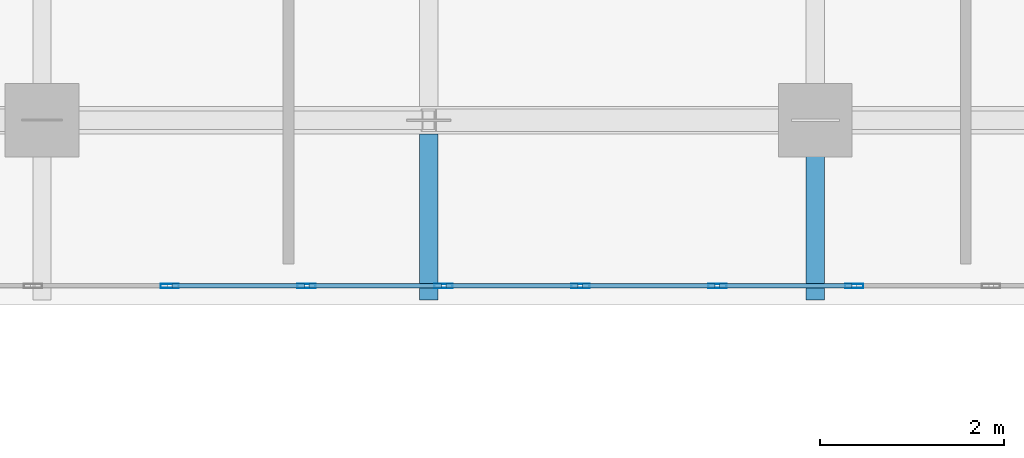
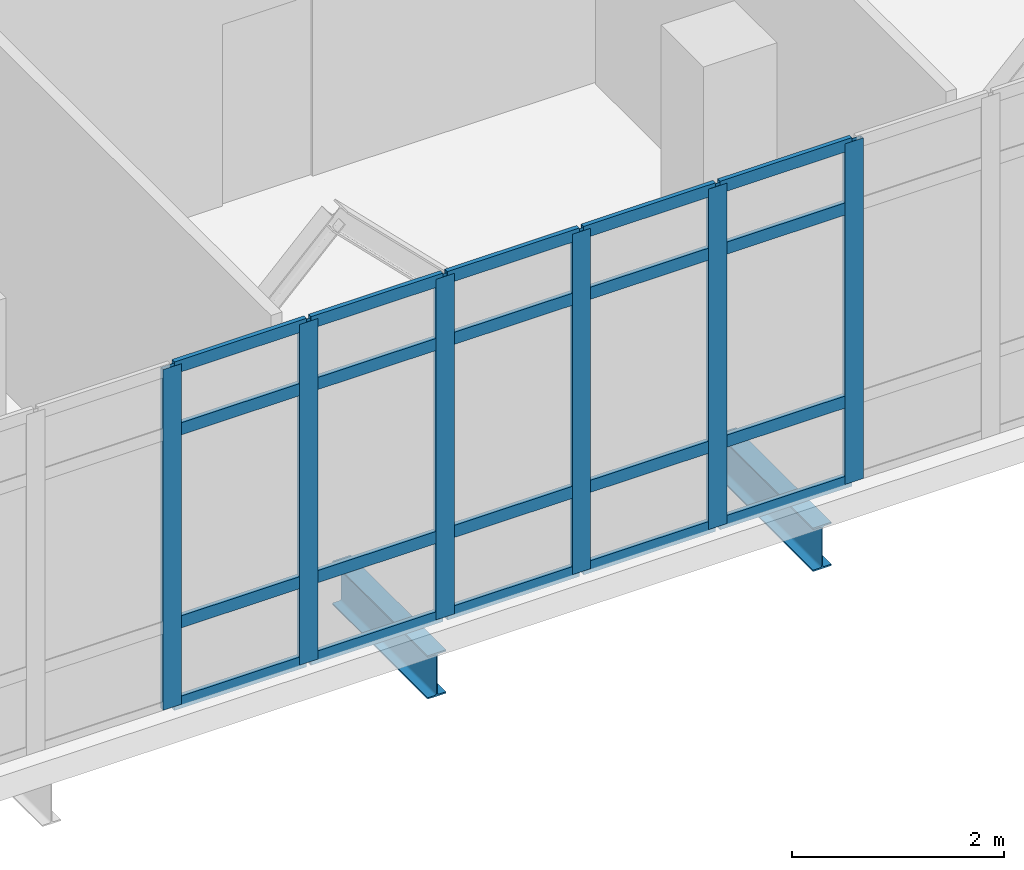
# One storey, part 5 of 158: 26 members, 2 beams, 1 element without a shape of its own.
"""IFC4 building model written with IfcOpenShell, lengths in metres."""

from ifc_helpers import new_model, si_unit, direction, frame, origin, origin_2d, place, context, subcontext, project, spatial, hollow_rectangle, i_section, extrude, material, layer, layer_set, material_profile, profile_set, type_object, element, aggregate, save


model = new_model("IFC4")

# Units and contexts
model_context = context("Model", 3, precision=1e-05, world=origin(), true_north=direction((0.0, 1.0)))
body_context = subcontext(model_context, "Body", "Model", "MODEL_VIEW")
ifc_project = project(units=[si_unit("LENGTHUNIT", "METRE"), si_unit("AREAUNIT", "SQUARE_METRE"), si_unit("VOLUMEUNIT", "CUBIC_METRE"), si_unit("PLANEANGLEUNIT", "RADIAN"), si_unit("MASSUNIT", "GRAM", prefix="KILO")], contexts=[model_context])

# Site, building, storey
site_placement = place(None, origin())
site = spatial("IfcSite", under=ifc_project, at=site_placement, CompositionType="ELEMENT")
building_placement = place(site_placement, origin())
building = spatial("IfcBuilding", under=site, at=building_placement, Name="Qalavern Law Courts", CompositionType="ELEMENT")
storey_placement = place(building_placement, frame((0.0, 0.0, 18.60009765625)))
storey = spatial("IfcBuildingStorey", under=building, at=storey_placement, Name="L04", CompositionType="ELEMENT", Elevation=18.60009765625)

# Curtain wall, members
ifc_material_1 = material(Name="Anodised aluminium and insulated glazing", Category="aluminium")
ifc_layer = layer(ifc_material_1, 0.199951171875)
ifc_layer_set = layer_set([ifc_layer], Name="Anodised aluminium and insulated glazing")
curtain_wall_type = type_object("IfcCurtainWallType", Name="ENV-CW-FOYER", PredefinedType="USERDEFINED", material=ifc_layer_set)
curtain_wall_placement = place(storey_placement, origin())
curtain_wall = element("IfcCurtainWall", 1, at=curtain_wall_placement, inside=storey, type_object=curtain_wall_type, Name="V1 unitised curtain wall L04 south 1", ObjectType="UNITISED CURTAIN WALL", PredefinedType="USERDEFINED")
ifc_material_2 = material(Name="Anodised aluminium", Category="aluminium")
ifc_material_profile_1 = material_profile(ifc_material_2, hollow_rectangle(XDim=0.048095703125, YDim=0.199951171875, WallThickness=0.00439453125, at=origin_2d()), Name="ALU MULLION 48x200")
ifc_profile_set_1 = profile_set([ifc_material_profile_1], Name="Anodised aluminium")
member_type_1 = type_object("IfcMemberType", Name="ENV-CWM-48x200", PredefinedType="MULLION", material=ifc_profile_set_1)
member_1_placement = place(storey_placement, frame((18.188232421875, 8.199951171875, 0.0), z_axis=(0.0, 0.0, 1.0), x_axis=(0.0, 1.0, 0.0)))
member_1 = element("IfcMember", 2, at=member_1_placement, type_object=member_type_1, Name="CW-01 mullion 9", PredefinedType="MULLION", context=body_context, shape_type="SweptSolid", body=[
    extrude(hollow_rectangle(XDim=0.048095703125, YDim=0.199951171875, WallThickness=0.00439453125, at=origin_2d()), origin(), (0.0, 0.0, 1.0), 3.9248046875),
])
member_2_placement = place(storey_placement, frame((19.675048828125, 8.199951171875, 0.0), z_axis=(0.0, 0.0, 1.0), x_axis=(0.0, 1.0, 0.0)))
member_2 = element("IfcMember", 3, at=member_2_placement, type_object=member_type_1, Name="CW-01 mullion 10", PredefinedType="MULLION", context=body_context, shape_type="SweptSolid", body=[
    extrude(hollow_rectangle(XDim=0.048095703125, YDim=0.199951171875, WallThickness=0.00439453125, at=origin_2d()), origin(), (0.0, 0.0, 1.0), 3.9248046875),
])
member_3_placement = place(storey_placement, frame((21.16162109375, 8.199951171875, 0.0), z_axis=(0.0, 0.0, 1.0), x_axis=(0.0, 1.0, 0.0)))
member_3 = element("IfcMember", 4, at=member_3_placement, type_object=member_type_1, Name="CW-01 mullion 11", PredefinedType="MULLION", context=body_context, shape_type="SweptSolid", body=[
    extrude(hollow_rectangle(XDim=0.048095703125, YDim=0.199951171875, WallThickness=0.00439453125, at=origin_2d()), origin(), (0.0, 0.0, 1.0), 3.9248046875),
])
member_4_placement = place(storey_placement, frame((22.6484375, 8.199951171875, 0.0), z_axis=(0.0, 0.0, 1.0), x_axis=(0.0, 1.0, 0.0)))
member_4 = element("IfcMember", 5, at=member_4_placement, type_object=member_type_1, Name="CW-01 mullion 12", PredefinedType="MULLION", context=body_context, shape_type="SweptSolid", body=[
    extrude(hollow_rectangle(XDim=0.048095703125, YDim=0.199951171875, WallThickness=0.00439453125, at=origin_2d()), origin(), (0.0, 0.0, 1.0), 3.9248046875),
])
member_5_placement = place(storey_placement, frame((24.135009765625, 8.199951171875, 0.0), z_axis=(0.0, 0.0, 1.0), x_axis=(0.0, 1.0, 0.0)))
member_5 = element("IfcMember", 6, at=member_5_placement, type_object=member_type_1, Name="CW-01 mullion 13", PredefinedType="MULLION", context=body_context, shape_type="SweptSolid", body=[
    extrude(hollow_rectangle(XDim=0.048095703125, YDim=0.199951171875, WallThickness=0.00439453125, at=origin_2d()), origin(), (0.0, 0.0, 1.0), 3.9248046875),
])
member_6_placement = place(storey_placement, frame((25.62158203125, 8.199951171875, 0.0), z_axis=(0.0, 0.0, 1.0), x_axis=(0.0, 1.0, 0.0)))
member_6 = element("IfcMember", 7, at=member_6_placement, type_object=member_type_1, Name="CW-01 mullion 14", PredefinedType="MULLION", context=body_context, shape_type="SweptSolid", body=[
    extrude(hollow_rectangle(XDim=0.048095703125, YDim=0.199951171875, WallThickness=0.00439453125, at=origin_2d()), origin(), (0.0, 0.0, 1.0), 3.9248046875),
])
ifc_material_profile_2 = material_profile(ifc_material_2, hollow_rectangle(XDim=0.048095703125, YDim=0.139892578125, WallThickness=0.00390625, at=origin_2d()), Name="ALU TRANSOM 48x140")
ifc_profile_set_2 = profile_set([ifc_material_profile_2], Name="Anodised aluminium")
member_type_2 = type_object("IfcMemberType", Name="ENV-CWT-48x140", PredefinedType="USERDEFINED", material=ifc_profile_set_2)
member_7_placement = place(storey_placement, frame((18.21240234375, 8.199951171875, 0.02392578125), z_axis=(1.0, 0.0, 0.0), x_axis=(0.0, 1.0, 0.0)))
member_7 = element("IfcMember", 8, at=member_7_placement, type_object=member_type_2, Name="CW-01 transom 9.1", ObjectType="TRANSOM", PredefinedType="USERDEFINED", context=body_context, shape_type="SweptSolid", body=[
    extrude(hollow_rectangle(XDim=0.048095703125, YDim=0.139892578125, WallThickness=0.00390625, at=origin_2d()), origin(), (0.0, 0.0, 1.0), 1.4384765625),
])
member_8_placement = place(storey_placement, frame((18.21240234375, 8.199951171875, 0.949951171875), z_axis=(1.0, 0.0, 0.0), x_axis=(0.0, 1.0, 0.0)))
member_8 = element("IfcMember", 9, at=member_8_placement, type_object=member_type_2, Name="CW-01 transom 9.2", ObjectType="TRANSOM", PredefinedType="USERDEFINED", context=body_context, shape_type="SweptSolid", body=[
    extrude(hollow_rectangle(XDim=0.048095703125, YDim=0.139892578125, WallThickness=0.00390625, at=origin_2d()), origin(), (0.0, 0.0, 1.0), 1.4384765625),
])
member_9_placement = place(storey_placement, frame((18.21240234375, 8.199951171875, 3.1748046875), z_axis=(1.0, 0.0, 0.0), x_axis=(0.0, 1.0, 0.0)))
member_9 = element("IfcMember", 10, at=member_9_placement, type_object=member_type_2, Name="CW-01 transom 9.3", ObjectType="TRANSOM", PredefinedType="USERDEFINED", context=body_context, shape_type="SweptSolid", body=[
    extrude(hollow_rectangle(XDim=0.048095703125, YDim=0.139892578125, WallThickness=0.00390625, at=origin_2d()), origin(), (0.0, 0.0, 1.0), 1.4384765625),
])
member_10_placement = place(storey_placement, frame((18.21240234375, 8.199951171875, 3.90087890625), z_axis=(1.0, 0.0, 0.0), x_axis=(0.0, 1.0, 0.0)))
member_10 = element("IfcMember", 11, at=member_10_placement, type_object=member_type_2, Name="CW-01 transom 9.4", ObjectType="TRANSOM", PredefinedType="USERDEFINED", context=body_context, shape_type="SweptSolid", body=[
    extrude(hollow_rectangle(XDim=0.048095703125, YDim=0.139892578125, WallThickness=0.00390625, at=origin_2d()), origin(), (0.0, 0.0, 1.0), 1.4384765625),
])
member_11_placement = place(storey_placement, frame((19.698974609375, 8.199951171875, 0.02392578125), z_axis=(1.0, 0.0, 0.0), x_axis=(0.0, 1.0, 0.0)))
member_11 = element("IfcMember", 12, at=member_11_placement, type_object=member_type_2, Name="CW-01 transom 10.1", ObjectType="TRANSOM", PredefinedType="USERDEFINED", context=body_context, shape_type="SweptSolid", body=[
    extrude(hollow_rectangle(XDim=0.048095703125, YDim=0.139892578125, WallThickness=0.00390625, at=origin_2d()), origin(), (0.0, 0.0, 1.0), 1.438720703125),
])
member_12_placement = place(storey_placement, frame((19.698974609375, 8.199951171875, 0.949951171875), z_axis=(1.0, 0.0, 0.0), x_axis=(0.0, 1.0, 0.0)))
member_12 = element("IfcMember", 13, at=member_12_placement, type_object=member_type_2, Name="CW-01 transom 10.2", ObjectType="TRANSOM", PredefinedType="USERDEFINED", context=body_context, shape_type="SweptSolid", body=[
    extrude(hollow_rectangle(XDim=0.048095703125, YDim=0.139892578125, WallThickness=0.00390625, at=origin_2d()), origin(), (0.0, 0.0, 1.0), 1.438720703125),
])
member_13_placement = place(storey_placement, frame((19.698974609375, 8.199951171875, 3.1748046875), z_axis=(1.0, 0.0, 0.0), x_axis=(0.0, 1.0, 0.0)))
member_13 = element("IfcMember", 14, at=member_13_placement, type_object=member_type_2, Name="CW-01 transom 10.3", ObjectType="TRANSOM", PredefinedType="USERDEFINED", context=body_context, shape_type="SweptSolid", body=[
    extrude(hollow_rectangle(XDim=0.048095703125, YDim=0.139892578125, WallThickness=0.00390625, at=origin_2d()), origin(), (0.0, 0.0, 1.0), 1.438720703125),
])
member_14_placement = place(storey_placement, frame((19.698974609375, 8.199951171875, 3.90087890625), z_axis=(1.0, 0.0, 0.0), x_axis=(0.0, 1.0, 0.0)))
member_14 = element("IfcMember", 15, at=member_14_placement, type_object=member_type_2, Name="CW-01 transom 10.4", ObjectType="TRANSOM", PredefinedType="USERDEFINED", context=body_context, shape_type="SweptSolid", body=[
    extrude(hollow_rectangle(XDim=0.048095703125, YDim=0.139892578125, WallThickness=0.00390625, at=origin_2d()), origin(), (0.0, 0.0, 1.0), 1.438720703125),
])
member_15_placement = place(storey_placement, frame((21.185546875, 8.199951171875, 0.02392578125), z_axis=(1.0, 0.0, 0.0), x_axis=(0.0, 1.0, 0.0)))
member_15 = element("IfcMember", 16, at=member_15_placement, type_object=member_type_2, Name="CW-01 transom 11.1", ObjectType="TRANSOM", PredefinedType="USERDEFINED", context=body_context, shape_type="SweptSolid", body=[
    extrude(hollow_rectangle(XDim=0.048095703125, YDim=0.139892578125, WallThickness=0.00390625, at=origin_2d()), origin(), (0.0, 0.0, 1.0), 1.438720703125),
])
member_16_placement = place(storey_placement, frame((21.185546875, 8.199951171875, 0.949951171875), z_axis=(1.0, 0.0, 0.0), x_axis=(0.0, 1.0, 0.0)))
member_16 = element("IfcMember", 17, at=member_16_placement, type_object=member_type_2, Name="CW-01 transom 11.2", ObjectType="TRANSOM", PredefinedType="USERDEFINED", context=body_context, shape_type="SweptSolid", body=[
    extrude(hollow_rectangle(XDim=0.048095703125, YDim=0.139892578125, WallThickness=0.00390625, at=origin_2d()), origin(), (0.0, 0.0, 1.0), 1.438720703125),
])
member_17_placement = place(storey_placement, frame((21.185546875, 8.199951171875, 3.1748046875), z_axis=(1.0, 0.0, 0.0), x_axis=(0.0, 1.0, 0.0)))
member_17 = element("IfcMember", 18, at=member_17_placement, type_object=member_type_2, Name="CW-01 transom 11.3", ObjectType="TRANSOM", PredefinedType="USERDEFINED", context=body_context, shape_type="SweptSolid", body=[
    extrude(hollow_rectangle(XDim=0.048095703125, YDim=0.139892578125, WallThickness=0.00390625, at=origin_2d()), origin(), (0.0, 0.0, 1.0), 1.438720703125),
])
member_18_placement = place(storey_placement, frame((21.185546875, 8.199951171875, 3.90087890625), z_axis=(1.0, 0.0, 0.0), x_axis=(0.0, 1.0, 0.0)))
member_18 = element("IfcMember", 19, at=member_18_placement, type_object=member_type_2, Name="CW-01 transom 11.4", ObjectType="TRANSOM", PredefinedType="USERDEFINED", context=body_context, shape_type="SweptSolid", body=[
    extrude(hollow_rectangle(XDim=0.048095703125, YDim=0.139892578125, WallThickness=0.00390625, at=origin_2d()), origin(), (0.0, 0.0, 1.0), 1.438720703125),
])
member_19_placement = place(storey_placement, frame((22.67236328125, 8.199951171875, 0.02392578125), z_axis=(1.0, 0.0, 0.0), x_axis=(0.0, 1.0, 0.0)))
member_19 = element("IfcMember", 20, at=member_19_placement, type_object=member_type_2, Name="CW-01 transom 12.1", ObjectType="TRANSOM", PredefinedType="USERDEFINED", context=body_context, shape_type="SweptSolid", body=[
    extrude(hollow_rectangle(XDim=0.048095703125, YDim=0.139892578125, WallThickness=0.00390625, at=origin_2d()), origin(), (0.0, 0.0, 1.0), 1.438720703125),
])
member_20_placement = place(storey_placement, frame((22.67236328125, 8.199951171875, 0.949951171875), z_axis=(1.0, 0.0, 0.0), x_axis=(0.0, 1.0, 0.0)))
member_20 = element("IfcMember", 21, at=member_20_placement, type_object=member_type_2, Name="CW-01 transom 12.2", ObjectType="TRANSOM", PredefinedType="USERDEFINED", context=body_context, shape_type="SweptSolid", body=[
    extrude(hollow_rectangle(XDim=0.048095703125, YDim=0.139892578125, WallThickness=0.00390625, at=origin_2d()), origin(), (0.0, 0.0, 1.0), 1.438720703125),
])
member_21_placement = place(storey_placement, frame((22.67236328125, 8.199951171875, 3.1748046875), z_axis=(1.0, 0.0, 0.0), x_axis=(0.0, 1.0, 0.0)))
member_21 = element("IfcMember", 22, at=member_21_placement, type_object=member_type_2, Name="CW-01 transom 12.3", ObjectType="TRANSOM", PredefinedType="USERDEFINED", context=body_context, shape_type="SweptSolid", body=[
    extrude(hollow_rectangle(XDim=0.048095703125, YDim=0.139892578125, WallThickness=0.00390625, at=origin_2d()), origin(), (0.0, 0.0, 1.0), 1.438720703125),
])
member_22_placement = place(storey_placement, frame((22.67236328125, 8.199951171875, 3.90087890625), z_axis=(1.0, 0.0, 0.0), x_axis=(0.0, 1.0, 0.0)))
member_22 = element("IfcMember", 23, at=member_22_placement, type_object=member_type_2, Name="CW-01 transom 12.4", ObjectType="TRANSOM", PredefinedType="USERDEFINED", context=body_context, shape_type="SweptSolid", body=[
    extrude(hollow_rectangle(XDim=0.048095703125, YDim=0.139892578125, WallThickness=0.00390625, at=origin_2d()), origin(), (0.0, 0.0, 1.0), 1.438720703125),
])
member_23_placement = place(storey_placement, frame((24.158935546875, 8.199951171875, 0.02392578125), z_axis=(1.0, 0.0, 0.0), x_axis=(0.0, 1.0, 0.0)))
member_23 = element("IfcMember", 24, at=member_23_placement, type_object=member_type_2, Name="CW-01 transom 13.1", ObjectType="TRANSOM", PredefinedType="USERDEFINED", context=body_context, shape_type="SweptSolid", body=[
    extrude(hollow_rectangle(XDim=0.048095703125, YDim=0.139892578125, WallThickness=0.00390625, at=origin_2d()), origin(), (0.0, 0.0, 1.0), 1.438720703125),
])
member_24_placement = place(storey_placement, frame((24.158935546875, 8.199951171875, 0.949951171875), z_axis=(1.0, 0.0, 0.0), x_axis=(0.0, 1.0, 0.0)))
member_24 = element("IfcMember", 25, at=member_24_placement, type_object=member_type_2, Name="CW-01 transom 13.2", ObjectType="TRANSOM", PredefinedType="USERDEFINED", context=body_context, shape_type="SweptSolid", body=[
    extrude(hollow_rectangle(XDim=0.048095703125, YDim=0.139892578125, WallThickness=0.00390625, at=origin_2d()), origin(), (0.0, 0.0, 1.0), 1.438720703125),
])
member_25_placement = place(storey_placement, frame((24.158935546875, 8.199951171875, 3.1748046875), z_axis=(1.0, 0.0, 0.0), x_axis=(0.0, 1.0, 0.0)))
member_25 = element("IfcMember", 26, at=member_25_placement, type_object=member_type_2, Name="CW-01 transom 13.3", ObjectType="TRANSOM", PredefinedType="USERDEFINED", context=body_context, shape_type="SweptSolid", body=[
    extrude(hollow_rectangle(XDim=0.048095703125, YDim=0.139892578125, WallThickness=0.00390625, at=origin_2d()), origin(), (0.0, 0.0, 1.0), 1.438720703125),
])
member_26_placement = place(storey_placement, frame((24.158935546875, 8.199951171875, 3.90087890625), z_axis=(1.0, 0.0, 0.0), x_axis=(0.0, 1.0, 0.0)))
member_26 = element("IfcMember", 27, at=member_26_placement, type_object=member_type_2, Name="CW-01 transom 13.4", ObjectType="TRANSOM", PredefinedType="USERDEFINED", context=body_context, shape_type="SweptSolid", body=[
    extrude(hollow_rectangle(XDim=0.048095703125, YDim=0.139892578125, WallThickness=0.00390625, at=origin_2d()), origin(), (0.0, 0.0, 1.0), 1.438720703125),
])
aggregate(curtain_wall, [member_1, member_2, member_3, member_4, member_5, member_6, member_7, member_8, member_9, member_10, member_11, member_12, member_13, member_14, member_15, member_16, member_17, member_18, member_19, member_20, member_21, member_22, member_23, member_24, member_25, member_26])

# Beams
ifc_material_3 = material(Name="Steel S355", Category="steel")
ifc_material_profile_3 = material_profile(ifc_material_3, i_section(OverallWidth=0.199951171875, OverallDepth=0.5, WebThickness=0.01025390625, FlangeThickness=0.01611328125, FilletRadius=0.02099609375, at=origin_2d()), Name="IPE 500")
ifc_profile_set_3 = profile_set([ifc_material_profile_3], Name="Steel S355")
beam_type = type_object("IfcBeamType", Name="STR-BM-IPE500", PredefinedType="BEAM", material=ifc_profile_set_3)
for number, where, z_axis, x_axis, name in (
    (28, (25.199951171875, 8.050048828125, -0.530029296875), (0.0, 1.0, 0.0), (-1.0, 0.0, 0.0), "Foyer transverse beam L04-3.1"),
    (29, (21.0, 8.050048828125, -0.530029296875), (0.0, 1.0, 0.0), (-1.0, 0.0, 0.0), "Foyer transverse beam L04-4.1"),
):
    element("IfcBeam", number, at=place(storey_placement, frame(where, z_axis=z_axis, x_axis=x_axis)), inside=storey, type_object=beam_type, Name=name, PredefinedType="BEAM", context=body_context, shape_type="SweptSolid", body=[
        extrude(i_section(OverallWidth=0.199951171875, OverallDepth=0.5, WebThickness=0.01025390625, FlangeThickness=0.01611328125, FilletRadius=0.02099609375, at=origin_2d()), origin(), (0.0, 0.0, 1.0), 1.802001953125),
    ])

save(model, "model.ifc")
